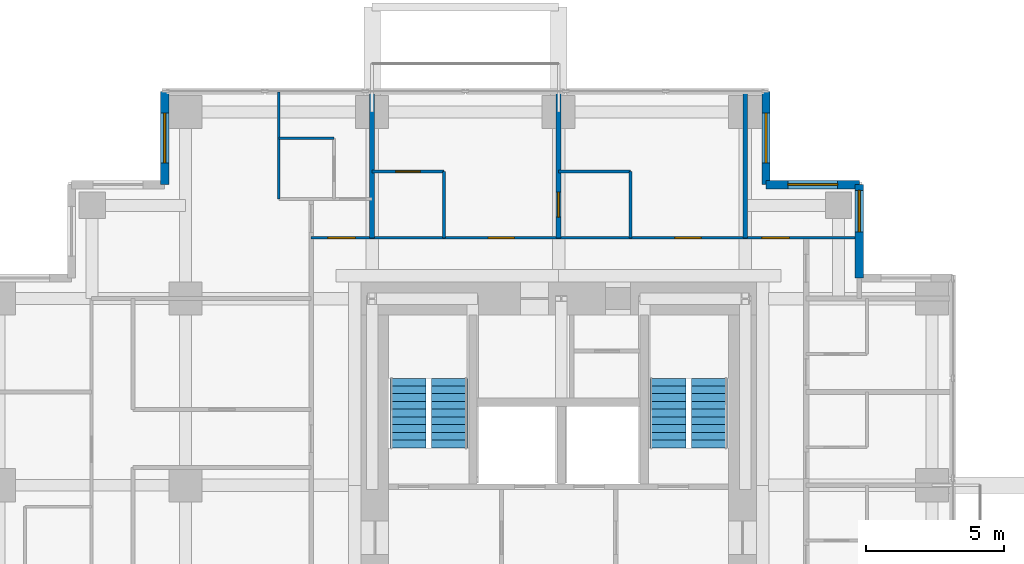
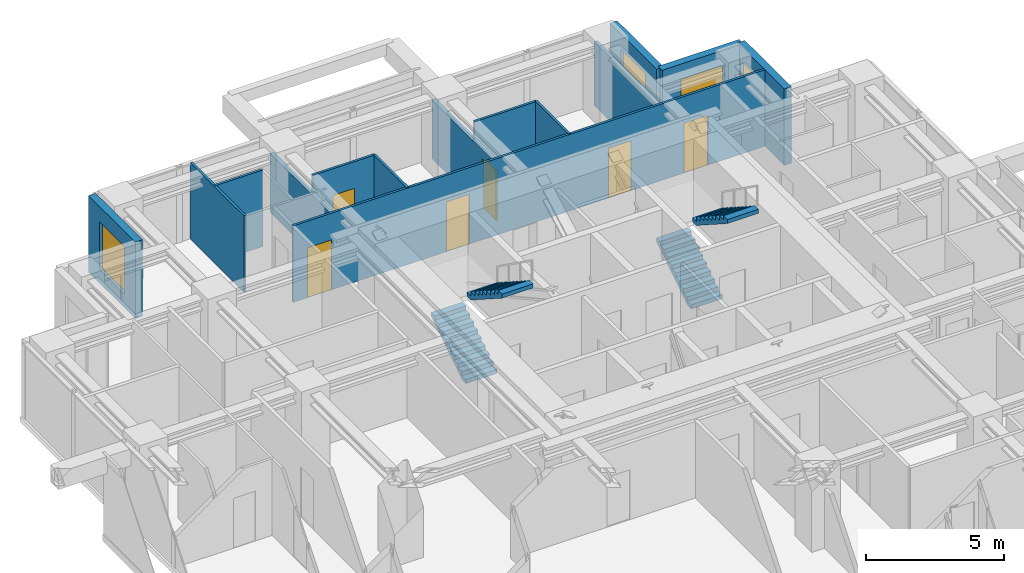
# One storey, part 9 of 10: 14 walls, 6 doors, 4 stair flights, 4 windows, 10 openings, 2 elements without a shape of their own.
"""IFC4 building model written with IfcOpenShell, lengths in metres."""

from ifc_helpers import new_model, si_unit, direction, frame, frame_2d, origin, place, context, subcontext, project, spatial, polyline, rectangle, outline, extrude, material, layer, layer_set, type_object, element, fill, aggregate, save


model = new_model("IFC4")

# Units and contexts
model_context = context("Model", 3, precision=1e-05, world=origin(), true_north=direction((0.0, 1.0)))
body_context = subcontext(model_context, "Body", "Model", "MODEL_VIEW")
ifc_project = project(units=[si_unit("LENGTHUNIT", "METRE"), si_unit("AREAUNIT", "SQUARE_METRE"), si_unit("VOLUMEUNIT", "CUBIC_METRE"), si_unit("PLANEANGLEUNIT", "RADIAN"), si_unit("MASSUNIT", "GRAM", prefix="KILO")], contexts=[model_context])

# Site, building, storey
site_placement = place(None, origin())
site = spatial("IfcSite", under=ifc_project, at=site_placement, CompositionType="ELEMENT")
building_placement = place(site_placement, origin())
building = spatial("IfcBuilding", under=site, at=building_placement, Name="Nyansa Garden Tower", CompositionType="ELEMENT")
storey_placement = place(building_placement, frame((0.0, 0.0, 189.0)))
storey = spatial("IfcBuildingStorey", under=building, at=storey_placement, Name="L51", CompositionType="ELEMENT", Elevation=189.0)

# Wall
ifc_material_1 = material(Name="Dense blockwork, plastered both sides, 55 dB", Category="masonry")
ifc_layer_1 = layer(ifc_material_1, 0.175048828125)
ifc_layer_set_1 = layer_set([ifc_layer_1], Name="Acoustic party wall PW175")
wall_type_1 = type_object("IfcWallType", Name="Acoustic party wall PW175", PredefinedType="PARTITIONING", material=ifc_layer_set_1)
wall_1_placement = place(storey_placement, frame((13.5, 29.199951171875, 0.0), z_axis=(0.0, 0.0, 1.0), x_axis=(0.0, 1.0, 0.0)))
element("IfcWall", 1, at=wall_1_placement, inside=storey, type_object=wall_type_1, Name="Party wall", PredefinedType="PARTITIONING", context=body_context, shape_type="SweptSolid", body=[
    extrude(rectangle(XDim=5.283935546875, YDim=0.175048828125, at=frame_2d((2.64208984375, 0.0))), origin(), (0.0, 0.0, 1.0), 2.610107421875),
])

# Wall, opening, door
wall_2_placement = place(storey_placement, frame((20.25, 29.199951171875, 0.0), z_axis=(0.0, 0.0, 1.0), x_axis=(0.0, 1.0, 0.0)))
wall_2 = element("IfcWall", 2, at=wall_2_placement, inside=storey, type_object=wall_type_1, Name="Party wall", PredefinedType="PARTITIONING", context=body_context, shape_type="SweptSolid", body=[
    extrude(rectangle(XDim=5.283935546875, YDim=0.175048828125, at=frame_2d((2.64208984375, 0.0))), origin(), (0.0, 0.0, 1.0), 2.610107421875),
])
opening_1_placement = place(wall_2_placement, frame((0.75, 0.0, 0.0)))
opening_1 = element("IfcOpeningElement", 3, at=opening_1_placement, cuts=wall_2, Name="Opening D02", PredefinedType="OPENING", context=body_context, shape_type="SweptSolid", body=[
    extrude(rectangle(XDim=0.89990234375, YDim=2.199951171875, at=frame_2d((0.449951171875, 1.10009765625))), frame((0.0, 0.097412109375, 0.0), z_axis=(0.0, -1.0, 0.0), x_axis=(1.0, 0.0, 0.0)), (0.0, 0.0, 1.0), 0.195068359375),
])
ifc_material_2 = material(Name="Timber flush door", Category="wood")
door_type_1 = type_object("IfcDoorType", Name="En-suite door D02 900x2200", OperationType="SINGLE_SWING_RIGHT", PredefinedType="DOOR", material=ifc_material_2)
door_1_placement = place(opening_1_placement, origin())
door_1 = element("IfcDoor", 4, at=door_1_placement, inside=storey, type_object=door_type_1, Name="Door L51-046", OperationType="SINGLE_SWING_RIGHT", OverallHeight=2.199951171875, OverallWidth=0.89990234375, PredefinedType="DOOR", context=body_context, shape_type="SweptSolid", body=[
    extrude(rectangle(XDim=0.89990234375, YDim=2.199951171875, at=frame_2d((0.449951171875, 1.10009765625))), frame((0.0, 0.02490234375, 0.0), z_axis=(0.0, -1.0, 0.0), x_axis=(1.0, 0.0, 0.0)), (0.0, 0.0, 1.0), 0.050048828125),
])
fill(opening_1, door_1)

# Wall
ifc_material_3 = material(Name="Blockwork, plastered both sides", Category="masonry")
ifc_layer_2 = layer(ifc_material_3, 0.14990234375)
ifc_layer_set_2 = layer_set([ifc_layer_2], Name="Partition PW150")
wall_type_2 = type_object("IfcWallType", Name="Partition PW150", PredefinedType="PARTITIONING", material=ifc_layer_set_2)
wall_3_placement = place(storey_placement, frame((27.0, 29.199951171875, 0.0), z_axis=(0.0, 0.0, 1.0), x_axis=(0.0, 1.0, 0.0)))
element("IfcWall", 5, at=wall_3_placement, inside=storey, type_object=wall_type_2, Name="Partition", PredefinedType="PARTITIONING", context=body_context, shape_type="SweptSolid", body=[
    extrude(rectangle(XDim=5.283935546875, YDim=0.14990234375, at=frame_2d((2.64208984375, 0.0))), origin(), (0.0, 0.0, 1.0), 2.805908203125),
])

# Wall, opening, window
ifc_material_4 = material(Name="Turquoise glazed tile on concrete blockwork", Category="masonry")
ifc_layer_3 = layer(ifc_material_4, 0.300048828125)
ifc_layer_set_3 = layer_set([ifc_layer_3], Name="Tiled corner wall TW300")
wall_type_3 = type_object("IfcWallType", Name="Tiled corner wall TW300", PredefinedType="SOLIDWALL", material=ifc_layer_set_3)
wall_4_placement = place(storey_placement, frame((31.125, 27.75, 0.0), z_axis=(0.0, 0.0, 1.0), x_axis=(0.0, 1.0, 0.0)))
wall_4 = element("IfcWall", 6, at=wall_4_placement, inside=storey, type_object=wall_type_3, Name="Tiled corner wall L51", PredefinedType="SOLIDWALL", context=body_context, shape_type="SweptSolid", body=[
    extrude(rectangle(XDim=3.375, YDim=0.300048828125, at=frame_2d((1.6875, 0.0))), origin(), (0.0, 0.0, 1.0), 3.375),
])
opening_2_placement = place(wall_4_placement, frame((1.66259765625, 0.0, 0.89990234375)))
opening_2 = element("IfcOpeningElement", 7, at=opening_2_placement, cuts=wall_4, Name="Opening W1", PredefinedType="OPENING", context=body_context, shape_type="SweptSolid", body=[
    extrude(rectangle(XDim=1.5, YDim=1.800048828125, at=frame_2d((0.75, 0.89990234375))), frame((0.0, 0.159912109375, 0.0), z_axis=(0.0, -1.0, 0.0), x_axis=(1.0, 0.0, 0.0)), (0.0, 0.0, 1.0), 0.320068359375),
])
ifc_material_5 = material(Name="Black aluminium frame, dark tinted double glazing", Category="aluminium")
window_type_1 = type_object("IfcWindowType", Name="Window W1 1500x1800", PartitioningType="SINGLE_PANEL", PredefinedType="WINDOW", material=ifc_material_5)
window_1_placement = place(opening_2_placement, origin())
window_1 = element("IfcWindow", 8, at=window_1_placement, inside=storey, type_object=window_type_1, Name="Corner window L51", OverallHeight=1.800048828125, OverallWidth=1.5, PartitioningType="SINGLE_PANEL", PredefinedType="WINDOW", context=body_context, shape_type="SweptSolid", body=[
    extrude(rectangle(XDim=1.5, YDim=1.800048828125, at=frame_2d((0.75, 0.89990234375))), frame((0.0, 0.030029296875, 0.0), z_axis=(0.0, -1.0, 0.0), x_axis=(1.0, 0.0, 0.0)), (0.0, 0.0, 1.0), 0.06005859375),
])
fill(opening_2, window_1)

wall_5_placement = place(storey_placement, frame((31.125, 31.125, 0.0), z_axis=(0.0, 0.0, 1.0), x_axis=(-1.0, 0.0, 0.0)))
wall_5 = element("IfcWall", 9, at=wall_5_placement, inside=storey, type_object=wall_type_3, Name="Tiled corner wall L51", PredefinedType="SOLIDWALL", context=body_context, shape_type="SweptSolid", body=[
    extrude(rectangle(XDim=3.375, YDim=0.300048828125, at=frame_2d((1.6875, 0.0))), origin(), (0.0, 0.0, 1.0), 3.375),
])
opening_3_placement = place(wall_5_placement, frame((0.78759765625, 0.0, 0.60009765625)))
opening_3 = element("IfcOpeningElement", 10, at=opening_3_placement, cuts=wall_5, Name="Opening W2", PredefinedType="OPENING", context=body_context, shape_type="SweptSolid", body=[
    extrude(rectangle(XDim=1.800048828125, YDim=2.10009765625, at=frame_2d((0.89990234375, 1.050048828125))), frame((0.0, 0.159912109375, 0.0), z_axis=(0.0, -1.0, 0.0), x_axis=(1.0, 0.0, 0.0)), (0.0, 0.0, 1.0), 0.320068359375),
])
ifc_material_6 = material(Name="Black aluminium frame, dark tinted double glazing", Category="aluminium")
window_type_2 = type_object("IfcWindowType", Name="Window W2 1800x2100", PartitioningType="SINGLE_PANEL", PredefinedType="WINDOW", material=ifc_material_6)
window_2_placement = place(opening_3_placement, origin())
window_2 = element("IfcWindow", 11, at=window_2_placement, inside=storey, type_object=window_type_2, Name="Corner window L51", OverallHeight=2.10009765625, OverallWidth=1.800048828125, PartitioningType="SINGLE_PANEL", PredefinedType="WINDOW", context=body_context, shape_type="SweptSolid", body=[
    extrude(rectangle(XDim=1.800048828125, YDim=2.10009765625, at=frame_2d((0.89990234375, 1.050048828125))), frame((0.0, 0.030029296875, 0.0), z_axis=(0.0, -1.0, 0.0), x_axis=(1.0, 0.0, 0.0)), (0.0, 0.0, 1.0), 0.06005859375),
])
fill(opening_3, window_2)

wall_6_placement = place(storey_placement, frame((27.75, 31.125, 0.0), z_axis=(0.0, 0.0, 1.0), x_axis=(0.0, 1.0, 0.0)))
wall_6 = element("IfcWall", 12, at=wall_6_placement, inside=storey, type_object=wall_type_3, Name="Tiled corner wall L51", PredefinedType="SOLIDWALL", context=body_context, shape_type="SweptSolid", body=[
    extrude(rectangle(XDim=3.375, YDim=0.300048828125, at=frame_2d((1.6875, 0.0))), origin(), (0.0, 0.0, 1.0), 3.375),
])
opening_4_placement = place(wall_6_placement, frame((0.78759765625, 0.0, 0.60009765625)))
opening_4 = element("IfcOpeningElement", 13, at=opening_4_placement, cuts=wall_6, Name="Opening W2", PredefinedType="OPENING", context=body_context, shape_type="SweptSolid", body=[
    extrude(rectangle(XDim=1.800048828125, YDim=2.10009765625, at=frame_2d((0.89990234375, 1.050048828125))), frame((0.0, 0.159912109375, 0.0), z_axis=(0.0, -1.0, 0.0), x_axis=(1.0, 0.0, 0.0)), (0.0, 0.0, 1.0), 0.320068359375),
])
window_3_placement = place(opening_4_placement, origin())
window_3 = element("IfcWindow", 14, at=window_3_placement, inside=storey, type_object=window_type_2, Name="Corner window L51", OverallHeight=2.10009765625, OverallWidth=1.800048828125, PartitioningType="SINGLE_PANEL", PredefinedType="WINDOW", context=body_context, shape_type="SweptSolid", body=[
    extrude(rectangle(XDim=1.800048828125, YDim=2.10009765625, at=frame_2d((0.89990234375, 1.050048828125))), frame((0.0, 0.030029296875, 0.0), z_axis=(0.0, -1.0, 0.0), x_axis=(1.0, 0.0, 0.0)), (0.0, 0.0, 1.0), 0.06005859375),
])
fill(opening_4, window_3)

wall_7_placement = place(storey_placement, frame((6.0, 34.5, 0.0), z_axis=(0.0, 0.0, 1.0), x_axis=(0.0, -1.0, 0.0)))
wall_7 = element("IfcWall", 15, at=wall_7_placement, inside=storey, type_object=wall_type_3, Name="Tiled corner wall L51", PredefinedType="SOLIDWALL", context=body_context, shape_type="SweptSolid", body=[
    extrude(rectangle(XDim=3.375, YDim=0.300048828125, at=frame_2d((1.6875, 0.0))), origin(), (0.0, 0.0, 1.0), 3.375),
])
opening_5_placement = place(wall_7_placement, frame((0.78759765625, 0.0, 0.60009765625)))
opening_5 = element("IfcOpeningElement", 16, at=opening_5_placement, cuts=wall_7, Name="Opening W2", PredefinedType="OPENING", context=body_context, shape_type="SweptSolid", body=[
    extrude(rectangle(XDim=1.800048828125, YDim=2.10009765625, at=frame_2d((0.89990234375, 1.050048828125))), frame((0.0, 0.159912109375, 0.0), z_axis=(0.0, -1.0, 0.0), x_axis=(1.0, 0.0, 0.0)), (0.0, 0.0, 1.0), 0.320068359375),
])
window_4_placement = place(opening_5_placement, origin())
window_4 = element("IfcWindow", 17, at=window_4_placement, inside=storey, type_object=window_type_2, Name="Corner window L51", OverallHeight=2.10009765625, OverallWidth=1.800048828125, PartitioningType="SINGLE_PANEL", PredefinedType="WINDOW", context=body_context, shape_type="SweptSolid", body=[
    extrude(rectangle(XDim=1.800048828125, YDim=2.10009765625, at=frame_2d((0.89990234375, 1.050048828125))), frame((0.0, 0.030029296875, 0.0), z_axis=(0.0, -1.0, 0.0), x_axis=(1.0, 0.0, 0.0)), (0.0, 0.0, 1.0), 0.06005859375),
])
fill(opening_5, window_4)

# Walls
ifc_material_7 = material(Name="Moisture resistant board on steel studs, tiled", Category="steel")
ifc_layer_4 = layer(ifc_material_7, 0.10009765625)
ifc_layer_set_4 = layer_set([ifc_layer_4], Name="Wet wall PW100")
wall_type_4 = type_object("IfcWallType", Name="Wet wall PW100", PredefinedType="PARTITIONING", material=ifc_layer_set_4)
wall_8_placement = place(storey_placement, frame((10.125, 30.60009765625, 0.0), z_axis=(0.0, 0.0, 1.0), x_axis=(0.0, 1.0, 0.0)))
element("IfcWall", 18, at=wall_8_placement, inside=storey, type_object=wall_type_4, Name="Wet wall", PredefinedType="PARTITIONING", context=body_context, shape_type="SweptSolid", body=[
    extrude(rectangle(XDim=3.8837890625, YDim=0.10009765625, at=frame_2d((1.94189453125, 0.0))), origin(), (0.0, 0.0, 1.0), 3.375),
])
wall_9_placement = place(storey_placement, frame((10.125, 32.800048828125, 0.0), z_axis=(0.0, 0.0, 1.0), x_axis=(1.0, 0.0, 0.0)))
element("IfcWall", 19, at=wall_9_placement, inside=storey, type_object=wall_type_4, Name="Wet wall", PredefinedType="PARTITIONING", context=body_context, shape_type="SweptSolid", body=[
    extrude(rectangle(XDim=2.0, YDim=0.10009765625, at=frame_2d((1.0, 0.0))), origin(), (0.0, 0.0, 1.0), 3.375),
])

# Wall, openings, doors
wall_10_placement = place(storey_placement, frame((11.300048828125, 29.199951171875, 0.0), z_axis=(0.0, 0.0, 1.0), x_axis=(1.0, 0.0, 0.0)))
wall_10 = element("IfcWall", 20, at=wall_10_placement, inside=storey, type_object=wall_type_4, Name="Wet wall", PredefinedType="PARTITIONING", context=body_context, shape_type="SweptSolid", body=[
    extrude(rectangle(XDim=19.808837890625, YDim=0.10009765625, at=frame_2d((9.904296875, 0.0))), origin(), (0.0, 0.0, 1.0), 3.375),
])
opening_6_placement = place(wall_10_placement, frame((16.300048828125, 0.0, 0.0)))
opening_6 = element("IfcOpeningElement", 21, at=opening_6_placement, cuts=wall_10, Name="Opening D03", PredefinedType="OPENING", context=body_context, shape_type="SweptSolid", body=[
    extrude(rectangle(XDim=1.0, YDim=2.199951171875, at=frame_2d((0.5, 1.10009765625))), frame((0.0, 0.06005859375, 0.0), z_axis=(0.0, -1.0, 0.0), x_axis=(1.0, 0.0, 0.0)), (0.0, 0.0, 1.0), 0.1201171875),
])
opening_7_placement = place(wall_10_placement, frame((6.39990234375, 0.0, 0.0)))
opening_7 = element("IfcOpeningElement", 22, at=opening_7_placement, cuts=wall_10, Name="Opening D14", PredefinedType="OPENING", context=body_context, shape_type="SweptSolid", body=[
    extrude(rectangle(XDim=0.949951171875, YDim=2.199951171875, at=frame_2d((0.47509765625, 1.10009765625))), frame((0.0, 0.06005859375, 0.0), z_axis=(0.0, -1.0, 0.0), x_axis=(1.0, 0.0, 0.0)), (0.0, 0.0, 1.0), 0.1201171875),
])
opening_8_placement = place(wall_10_placement, frame((13.14990234375, 0.0, 0.0)))
opening_8 = element("IfcOpeningElement", 23, at=opening_8_placement, cuts=wall_10, Name="Opening D14", PredefinedType="OPENING", context=body_context, shape_type="SweptSolid", body=[
    extrude(rectangle(XDim=0.949951171875, YDim=2.199951171875, at=frame_2d((0.47509765625, 1.10009765625))), frame((0.0, 0.06005859375, 0.0), z_axis=(0.0, -1.0, 0.0), x_axis=(1.0, 0.0, 0.0)), (0.0, 0.0, 1.0), 0.1201171875),
])
opening_9_placement = place(wall_10_placement, frame((0.60009765625, 0.0, 0.0)))
opening_9 = element("IfcOpeningElement", 24, at=opening_9_placement, cuts=wall_10, Name="Opening D03", PredefinedType="OPENING", context=body_context, shape_type="SweptSolid", body=[
    extrude(rectangle(XDim=1.0, YDim=2.199951171875, at=frame_2d((0.5, 1.10009765625))), frame((0.0, 0.06005859375, 0.0), z_axis=(0.0, -1.0, 0.0), x_axis=(1.0, 0.0, 0.0)), (0.0, 0.0, 1.0), 0.1201171875),
])
ifc_material_8 = material(Name="Timber flush door, 60 minute fire resisting", Category="wood")
door_type_2 = type_object("IfcDoorType", Name="Cluster entrance door D03 1000x2200", OperationType="SINGLE_SWING_LEFT", PredefinedType="DOOR", material=ifc_material_8)
door_2_placement = place(opening_6_placement, origin())
door_2 = element("IfcDoor", 25, at=door_2_placement, inside=storey, type_object=door_type_2, Name="Door L51-042", OperationType="SINGLE_SWING_LEFT", OverallHeight=2.199951171875, OverallWidth=1.0, PredefinedType="DOOR", context=body_context, shape_type="SweptSolid", body=[
    extrude(rectangle(XDim=1.0, YDim=2.199951171875, at=frame_2d((0.5, 1.10009765625))), frame((0.0, 0.02490234375, 0.0), z_axis=(0.0, -1.0, 0.0), x_axis=(1.0, 0.0, 0.0)), (0.0, 0.0, 1.0), 0.050048828125),
])
fill(opening_6, door_2)
door_3_placement = place(opening_9_placement, origin())
door_3 = element("IfcDoor", 26, at=door_3_placement, inside=storey, type_object=door_type_2, Name="Door L51-049", OperationType="SINGLE_SWING_LEFT", OverallHeight=2.199951171875, OverallWidth=1.0, PredefinedType="DOOR", context=body_context, shape_type="SweptSolid", body=[
    extrude(rectangle(XDim=1.0, YDim=2.199951171875, at=frame_2d((0.5, 1.10009765625))), frame((0.0, 0.02490234375, 0.0), z_axis=(0.0, -1.0, 0.0), x_axis=(1.0, 0.0, 0.0)), (0.0, 0.0, 1.0), 0.050048828125),
])
fill(opening_9, door_3)
ifc_material_9 = material(Name="Timber flush door, 60 minute fire resisting, self-closing", Category="wood")
door_type_3 = type_object("IfcDoorType", Name="Studio entrance door D14 950x2200", OperationType="SINGLE_SWING_LEFT", PredefinedType="DOOR", material=ifc_material_9)
door_4_placement = place(opening_7_placement, origin())
door_4 = element("IfcDoor", 27, at=door_4_placement, inside=storey, type_object=door_type_3, Name="Door L51-043", OperationType="SINGLE_SWING_LEFT", OverallHeight=2.199951171875, OverallWidth=0.949951171875, PredefinedType="DOOR", context=body_context, shape_type="SweptSolid", body=[
    extrude(rectangle(XDim=0.949951171875, YDim=2.199951171875, at=frame_2d((0.47509765625, 1.10009765625))), frame((0.0, 0.02490234375, 0.0), z_axis=(0.0, -1.0, 0.0), x_axis=(1.0, 0.0, 0.0)), (0.0, 0.0, 1.0), 0.050048828125),
])
fill(opening_7, door_4)
door_5_placement = place(opening_8_placement, origin())
door_5 = element("IfcDoor", 28, at=door_5_placement, inside=storey, type_object=door_type_3, Name="Door L51-045", OperationType="SINGLE_SWING_LEFT", OverallHeight=2.199951171875, OverallWidth=0.949951171875, PredefinedType="DOOR", context=body_context, shape_type="SweptSolid", body=[
    extrude(rectangle(XDim=0.949951171875, YDim=2.199951171875, at=frame_2d((0.47509765625, 1.10009765625))), frame((0.0, 0.02490234375, 0.0), z_axis=(0.0, -1.0, 0.0), x_axis=(1.0, 0.0, 0.0)), (0.0, 0.0, 1.0), 0.050048828125),
])
fill(opening_8, door_5)

# Wall, opening, door
wall_11_placement = place(storey_placement, frame((13.5, 31.60009765625, 0.0), z_axis=(0.0, 0.0, 1.0), x_axis=(1.0, 0.0, 0.0)))
wall_11 = element("IfcWall", 29, at=wall_11_placement, inside=storey, type_object=wall_type_4, Name="Wet wall", PredefinedType="PARTITIONING", context=body_context, shape_type="SweptSolid", body=[
    extrude(rectangle(XDim=2.60009765625, YDim=0.10009765625, at=frame_2d((1.300048828125, 0.0))), origin(), (0.0, 0.0, 1.0), 3.375),
])
opening_10_placement = place(wall_11_placement, frame((0.85009765625, 0.0, 0.0)))
opening_10 = element("IfcOpeningElement", 30, at=opening_10_placement, cuts=wall_11, Name="Opening D02", PredefinedType="OPENING", context=body_context, shape_type="SweptSolid", body=[
    extrude(rectangle(XDim=0.89990234375, YDim=2.199951171875, at=frame_2d((0.449951171875, 1.10009765625))), frame((0.0, 0.06005859375, 0.0), z_axis=(0.0, -1.0, 0.0), x_axis=(1.0, 0.0, 0.0)), (0.0, 0.0, 1.0), 0.1201171875),
])
door_6_placement = place(opening_10_placement, origin())
door_6 = element("IfcDoor", 31, at=door_6_placement, inside=storey, type_object=door_type_1, Name="Door L51-044", OperationType="SINGLE_SWING_RIGHT", OverallHeight=2.199951171875, OverallWidth=0.89990234375, PredefinedType="DOOR", context=body_context, shape_type="SweptSolid", body=[
    extrude(rectangle(XDim=0.89990234375, YDim=2.199951171875, at=frame_2d((0.449951171875, 1.10009765625))), frame((0.0, 0.02490234375, 0.0), z_axis=(0.0, -1.0, 0.0), x_axis=(1.0, 0.0, 0.0)), (0.0, 0.0, 1.0), 0.050048828125),
])
fill(opening_10, door_6)

# Walls
wall_12_placement = place(storey_placement, frame((16.10009765625, 29.199951171875, 0.0), z_axis=(0.0, 0.0, 1.0), x_axis=(0.0, 1.0, 0.0)))
element("IfcWall", 32, at=wall_12_placement, inside=storey, type_object=wall_type_4, Name="Wet wall", PredefinedType="PARTITIONING", context=body_context, shape_type="SweptSolid", body=[
    extrude(rectangle(XDim=2.400146484375, YDim=0.10009765625, at=frame_2d((1.2001953125, 0.0))), origin(), (0.0, 0.0, 1.0), 3.375),
])
wall_13_placement = place(storey_placement, frame((20.25, 31.60009765625, 0.0), z_axis=(0.0, 0.0, 1.0), x_axis=(1.0, 0.0, 0.0)))
element("IfcWall", 33, at=wall_13_placement, inside=storey, type_object=wall_type_4, Name="Wet wall", PredefinedType="PARTITIONING", context=body_context, shape_type="SweptSolid", body=[
    extrude(rectangle(XDim=2.60009765625, YDim=0.10009765625, at=frame_2d((1.300048828125, 0.0))), origin(), (0.0, 0.0, 1.0), 3.375),
])
wall_14_placement = place(storey_placement, frame((22.85009765625, 29.199951171875, 0.0), z_axis=(0.0, 0.0, 1.0), x_axis=(0.0, 1.0, 0.0)))
element("IfcWall", 34, at=wall_14_placement, inside=storey, type_object=wall_type_4, Name="Wet wall", PredefinedType="PARTITIONING", context=body_context, shape_type="SweptSolid", body=[
    extrude(rectangle(XDim=2.400146484375, YDim=0.10009765625, at=frame_2d((1.2001953125, 0.0))), origin(), (0.0, 0.0, 1.0), 3.375),
])

# Stair, stair flights
ifc_material_10 = material(Name="Precast concrete C40/50", Category="concrete")
stair_type_1 = type_object("IfcStairType", Name="Stair S1 180x280", PredefinedType="HALF_TURN_STAIR", material=ifc_material_10)
stair_1_placement = place(storey_placement, origin())
stair_1 = element("IfcStair", 35, at=stair_1_placement, inside=storey, type_object=stair_type_1, Name="Stair S1 L51", PredefinedType="HALF_TURN_STAIR")
ifc_material_11 = material(Name="Precast concrete C40/50", Category="concrete")
stair_flight_type_1 = type_object("IfcStairFlightType", Name="Stair flight S1 180x280x10", PredefinedType="STRAIGHT", material=ifc_material_11)
stair_flight_1_placement = place(storey_placement, frame((14.800048828125, 21.60009765625, 0.0), z_axis=(0.0, 0.0, 1.0), x_axis=(0.0, 1.0, 0.0)))
stair_flight_1 = element("IfcStairFlight", 36, at=stair_flight_1_placement, type_object=stair_flight_type_1, Name="S1 flight 1", NumberOfRisers=10, NumberOfTreads=9, PredefinedType="STRAIGHT", RiserHeight=0.18, TreadLength=0.28, context=body_context, shape_type="SweptSolid", body=[
    extrude(outline(polyline([(0.0, 0.0), (0.0, 0.179931640625), (0.280029296875, 0.179931640625), (0.280029296875, 0.360107421875), (0.56005859375, 0.360107421875), (0.56005859375, 0.5400390625), (0.840087890625, 0.5400390625), (0.840087890625, 0.719970703125), (1.1201171875, 0.719970703125), (1.1201171875, 0.89990234375), (1.39990234375, 0.89990234375), (1.39990234375, 1.080078125), (1.679931640625, 1.080078125), (1.679931640625, 1.260009765625), (1.9599609375, 1.260009765625), (1.9599609375, 1.43994140625), (2.239990234375, 1.43994140625), (2.239990234375, 1.6201171875), (2.52001953125, 1.6201171875), (2.52001953125, 1.800048828125), (2.52001953125, 1.44189453125), (0.277099609375, 0.0), (0.0, 0.0)])), frame((0.0, 0.64990234375, 0.0), z_axis=(0.0, -1.0, 0.0), x_axis=(1.0, 0.0, 0.0)), (0.0, 0.0, 1.0), 1.300048828125),
])
stair_flight_2_placement = place(storey_placement, frame((16.300048828125, 24.1201171875, 1.800048828125), z_axis=(0.0, 0.0, 1.0), x_axis=(0.0, -1.0, 0.0)))
stair_flight_2 = element("IfcStairFlight", 37, at=stair_flight_2_placement, type_object=stair_flight_type_1, Name="S1 flight 2", NumberOfRisers=10, NumberOfTreads=9, PredefinedType="STRAIGHT", RiserHeight=0.18, TreadLength=0.28, context=body_context, shape_type="SweptSolid", body=[
    extrude(outline(polyline([(0.0, 0.0), (0.0, 0.179931640625), (0.280029296875, 0.179931640625), (0.280029296875, 0.360107421875), (0.56005859375, 0.360107421875), (0.56005859375, 0.5400390625), (0.840087890625, 0.5400390625), (0.840087890625, 0.719970703125), (1.1201171875, 0.719970703125), (1.1201171875, 0.89990234375), (1.39990234375, 0.89990234375), (1.39990234375, 1.080078125), (1.679931640625, 1.080078125), (1.679931640625, 1.260009765625), (1.9599609375, 1.260009765625), (1.9599609375, 1.43994140625), (2.239990234375, 1.43994140625), (2.239990234375, 1.6201171875), (2.52001953125, 1.6201171875), (2.52001953125, 1.800048828125), (2.52001953125, 1.44189453125), (0.277099609375, 0.0), (0.0, 0.0)])), frame((0.0, 0.64990234375, 0.0), z_axis=(0.0, -1.0, 0.0), x_axis=(1.0, 0.0, 0.0)), (0.0, 0.0, 1.0), 1.300048828125),
])
aggregate(stair_1, [stair_flight_1, stair_flight_2])

ifc_material_12 = material(Name="Precast concrete C40/50", Category="concrete")
stair_type_2 = type_object("IfcStairType", Name="Stair S2 180x280", PredefinedType="HALF_TURN_STAIR", material=ifc_material_12)
stair_2_placement = place(storey_placement, origin())
stair_2 = element("IfcStair", 38, at=stair_2_placement, inside=storey, type_object=stair_type_2, Name="Stair S2 L51", PredefinedType="HALF_TURN_STAIR")
ifc_material_13 = material(Name="Precast concrete C40/50", Category="concrete")
stair_flight_type_2 = type_object("IfcStairFlightType", Name="Stair flight S2 180x280x10", PredefinedType="STRAIGHT", material=ifc_material_13)
stair_flight_3_placement = place(storey_placement, frame((24.199951171875, 21.60009765625, 0.0), z_axis=(0.0, 0.0, 1.0), x_axis=(0.0, 1.0, 0.0)))
stair_flight_3 = element("IfcStairFlight", 39, at=stair_flight_3_placement, type_object=stair_flight_type_2, Name="S2 flight 1", NumberOfRisers=10, NumberOfTreads=9, PredefinedType="STRAIGHT", RiserHeight=0.18, TreadLength=0.28, context=body_context, shape_type="SweptSolid", body=[
    extrude(outline(polyline([(0.0, 0.0), (0.0, 0.179931640625), (0.280029296875, 0.179931640625), (0.280029296875, 0.360107421875), (0.56005859375, 0.360107421875), (0.56005859375, 0.5400390625), (0.840087890625, 0.5400390625), (0.840087890625, 0.719970703125), (1.1201171875, 0.719970703125), (1.1201171875, 0.89990234375), (1.39990234375, 0.89990234375), (1.39990234375, 1.080078125), (1.679931640625, 1.080078125), (1.679931640625, 1.260009765625), (1.9599609375, 1.260009765625), (1.9599609375, 1.43994140625), (2.239990234375, 1.43994140625), (2.239990234375, 1.6201171875), (2.52001953125, 1.6201171875), (2.52001953125, 1.800048828125), (2.52001953125, 1.44189453125), (0.277099609375, 0.0), (0.0, 0.0)])), frame((0.0, 0.64990234375, 0.0), z_axis=(0.0, -1.0, 0.0), x_axis=(1.0, 0.0, 0.0)), (0.0, 0.0, 1.0), 1.300048828125),
])
stair_flight_4_placement = place(storey_placement, frame((25.699951171875, 24.1201171875, 1.800048828125), z_axis=(0.0, 0.0, 1.0), x_axis=(0.0, -1.0, 0.0)))
stair_flight_4 = element("IfcStairFlight", 40, at=stair_flight_4_placement, type_object=stair_flight_type_2, Name="S2 flight 2", NumberOfRisers=10, NumberOfTreads=9, PredefinedType="STRAIGHT", RiserHeight=0.18, TreadLength=0.28, context=body_context, shape_type="SweptSolid", body=[
    extrude(outline(polyline([(0.0, 0.0), (0.0, 0.179931640625), (0.280029296875, 0.179931640625), (0.280029296875, 0.360107421875), (0.56005859375, 0.360107421875), (0.56005859375, 0.5400390625), (0.840087890625, 0.5400390625), (0.840087890625, 0.719970703125), (1.1201171875, 0.719970703125), (1.1201171875, 0.89990234375), (1.39990234375, 0.89990234375), (1.39990234375, 1.080078125), (1.679931640625, 1.080078125), (1.679931640625, 1.260009765625), (1.9599609375, 1.260009765625), (1.9599609375, 1.43994140625), (2.239990234375, 1.43994140625), (2.239990234375, 1.6201171875), (2.52001953125, 1.6201171875), (2.52001953125, 1.800048828125), (2.52001953125, 1.44189453125), (0.277099609375, 0.0), (0.0, 0.0)])), frame((0.0, 0.64990234375, 0.0), z_axis=(0.0, -1.0, 0.0), x_axis=(1.0, 0.0, 0.0)), (0.0, 0.0, 1.0), 1.300048828125),
])
aggregate(stair_2, [stair_flight_3, stair_flight_4])

save(model, "model.ifc")
